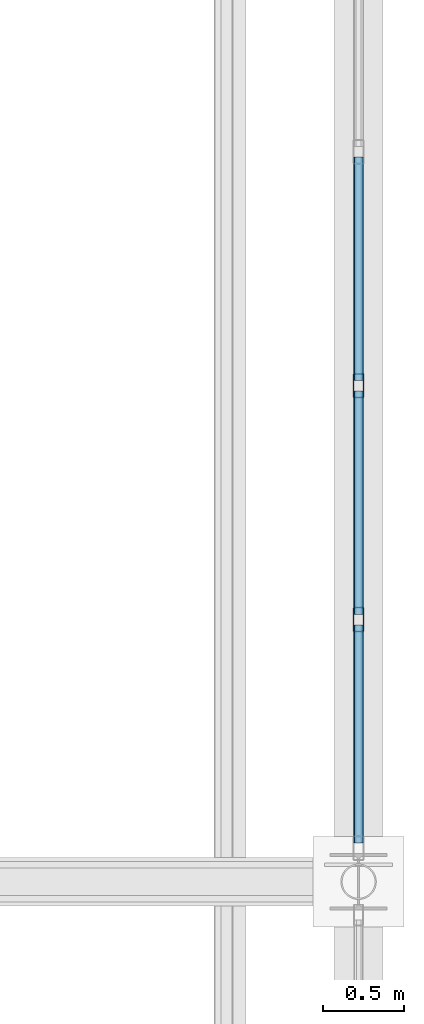
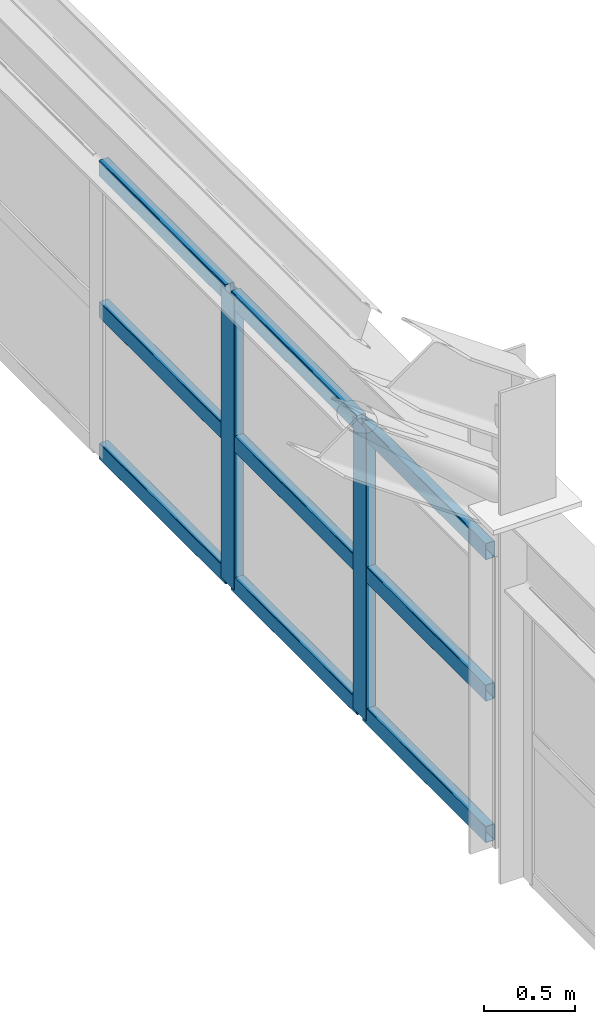
# One storey, part 81 of 121: 11 members, 1 element without a shape of its own.
"""IFC4 building model written with IfcOpenShell, lengths in metres."""

from ifc_helpers import new_model, si_unit, direction, frame, origin, origin_2d, place, context, subcontext, project, spatial, hollow_rectangle, extrude, material, material_profile, profile_set, type_object, element, aggregate, save


model = new_model("IFC4")

# Units and contexts
model_context = context("Model", 3, precision=1e-05, world=origin(), true_north=direction((0.0, 1.0)))
body_context = subcontext(model_context, "Body", "Model", "MODEL_VIEW")
ifc_project = project(units=[si_unit("LENGTHUNIT", "METRE"), si_unit("AREAUNIT", "SQUARE_METRE"), si_unit("VOLUMEUNIT", "CUBIC_METRE"), si_unit("PLANEANGLEUNIT", "RADIAN"), si_unit("MASSUNIT", "GRAM", prefix="KILO")], contexts=[model_context])

# Site, building, storey
site_placement = place(None, origin())
site = spatial("IfcSite", under=ifc_project, at=site_placement, CompositionType="ELEMENT")
building_placement = place(site_placement, origin())
building = spatial("IfcBuilding", under=site, at=building_placement, Name="Canglan Escarpment Cableway Terminal", CompositionType="ELEMENT")
storey_placement = place(building_placement, frame((0.0, 0.0, 24.60009765625)))
storey = spatial("IfcBuildingStorey", under=building, at=storey_placement, Name="L05", CompositionType="ELEMENT", Elevation=24.60009765625)

# Curtain wall, members
ifc_material_1 = material(Name="Anodized bronze aluminium and Low-E double glazing", Category="aluminium")
curtain_wall_type = type_object("IfcCurtainWallType", Name="CW-BAY-8650x1950", PredefinedType="NOTDEFINED", material=ifc_material_1)
curtain_wall_placement = place(storey_placement, origin())
curtain_wall = element("IfcCurtainWall", 1, at=curtain_wall_placement, inside=storey, type_object=curtain_wall_type, Name="Classical bay-between-piers glazed curtain wall CW-66", PredefinedType="NOTDEFINED")
ifc_material_2 = material(Name="Thermally broken anodized aluminium 6063-T6", Category="aluminium")
ifc_material_profile_1 = material_profile(ifc_material_2, hollow_rectangle(XDim=0.06494140625, YDim=0.14990234375, WallThickness=0.00341796875, InnerFilletRadius=0.00341796875, OuterFilletRadius=0.007080078125, at=origin_2d()), Name="ALU-MULL 65x150x3.5")
ifc_profile_set_1 = profile_set([ifc_material_profile_1], Name="Thermally broken anodized aluminium 6063-T6")
member_type_1 = type_object("IfcMemberType", Name="CWM-02", PredefinedType="MULLION", material=ifc_profile_set_1)
member_1_placement = place(storey_placement, frame((166.39990234375, 116.61669921875, 0.0), z_axis=(0.0, 0.0, 1.0), x_axis=(-1.0, 0.0, 0.0)))
member_1 = element("IfcMember", 2, at=member_1_placement, type_object=member_type_1, Name="CW-66 mullion 2", PredefinedType="MULLION", context=body_context, shape_type="SweptSolid", body=[
    extrude(hollow_rectangle(XDim=0.06494140625, YDim=0.14990234375, WallThickness=0.00341796875, InnerFilletRadius=0.00341796875, OuterFilletRadius=0.007080078125, at=origin_2d()), origin(), (0.0, 0.0, 1.0), 1.949951171875),
])
member_2_placement = place(storey_placement, frame((166.39990234375, 118.058349609375, 0.0), z_axis=(0.0, 0.0, 1.0), x_axis=(-1.0, 0.0, 0.0)))
member_2 = element("IfcMember", 3, at=member_2_placement, type_object=member_type_1, Name="CW-66 mullion 3", PredefinedType="MULLION", context=body_context, shape_type="SweptSolid", body=[
    extrude(hollow_rectangle(XDim=0.06494140625, YDim=0.14990234375, WallThickness=0.00341796875, InnerFilletRadius=0.00341796875, OuterFilletRadius=0.007080078125, at=origin_2d()), origin(), (0.0, 0.0, 1.0), 1.949951171875),
])
ifc_material_profile_2 = material_profile(ifc_material_2, hollow_rectangle(XDim=0.06005859375, YDim=0.110107421875, WallThickness=0.0029296875, InnerFilletRadius=0.0029296875, OuterFilletRadius=0.006103515625, at=origin_2d()), Name="ALU-TRAN 60x110x3")
ifc_profile_set_2 = profile_set([ifc_material_profile_2], Name="Thermally broken anodized aluminium 6063-T6")
member_type_2 = type_object("IfcMemberType", Name="CWT-02", PredefinedType="USERDEFINED", material=ifc_profile_set_2)
member_3_placement = place(storey_placement, frame((166.39990234375, 115.239990234375, 0.02978515625), z_axis=(0.0, 1.0, 0.0), x_axis=(-1.0, 0.0, 0.0)))
member_3 = element("IfcMember", 4, at=member_3_placement, type_object=member_type_2, Name="CW-66 transom 1.1", ObjectType="TRANSOM", PredefinedType="USERDEFINED", context=body_context, shape_type="SweptSolid", body=[
    extrude(hollow_rectangle(XDim=0.06005859375, YDim=0.110107421875, WallThickness=0.0029296875, InnerFilletRadius=0.0029296875, OuterFilletRadius=0.006103515625, at=origin_2d()), origin(), (0.0, 0.0, 1.0), 1.34423828125),
])
member_4_placement = place(storey_placement, frame((166.39990234375, 115.239990234375, 0.974853515625), z_axis=(0.0, 1.0, 0.0), x_axis=(-1.0, 0.0, 0.0)))
member_4 = element("IfcMember", 5, at=member_4_placement, type_object=member_type_2, Name="CW-66 transom 1.2", ObjectType="TRANSOM", PredefinedType="USERDEFINED", context=body_context, shape_type="SweptSolid", body=[
    extrude(hollow_rectangle(XDim=0.06005859375, YDim=0.110107421875, WallThickness=0.0029296875, InnerFilletRadius=0.0029296875, OuterFilletRadius=0.006103515625, at=origin_2d()), origin(), (0.0, 0.0, 1.0), 1.34423828125),
])
member_5_placement = place(storey_placement, frame((166.39990234375, 115.239990234375, 1.919921875), z_axis=(0.0, 1.0, 0.0), x_axis=(-1.0, 0.0, 0.0)))
member_5 = element("IfcMember", 6, at=member_5_placement, type_object=member_type_2, Name="CW-66 transom 1.3", ObjectType="TRANSOM", PredefinedType="USERDEFINED", context=body_context, shape_type="SweptSolid", body=[
    extrude(hollow_rectangle(XDim=0.06005859375, YDim=0.110107421875, WallThickness=0.0029296875, InnerFilletRadius=0.0029296875, OuterFilletRadius=0.006103515625, at=origin_2d()), origin(), (0.0, 0.0, 1.0), 1.34423828125),
])
member_6_placement = place(storey_placement, frame((166.39990234375, 116.649169921875, 0.02978515625), z_axis=(0.0, 1.0, 0.0), x_axis=(-1.0, 0.0, 0.0)))
member_6 = element("IfcMember", 7, at=member_6_placement, type_object=member_type_2, Name="CW-66 transom 2.1", ObjectType="TRANSOM", PredefinedType="USERDEFINED", context=body_context, shape_type="SweptSolid", body=[
    extrude(hollow_rectangle(XDim=0.06005859375, YDim=0.110107421875, WallThickness=0.0029296875, InnerFilletRadius=0.0029296875, OuterFilletRadius=0.006103515625, at=origin_2d()), origin(), (0.0, 0.0, 1.0), 1.376708984375),
])
member_7_placement = place(storey_placement, frame((166.39990234375, 116.649169921875, 0.974853515625), z_axis=(0.0, 1.0, 0.0), x_axis=(-1.0, 0.0, 0.0)))
member_7 = element("IfcMember", 8, at=member_7_placement, type_object=member_type_2, Name="CW-66 transom 2.2", ObjectType="TRANSOM", PredefinedType="USERDEFINED", context=body_context, shape_type="SweptSolid", body=[
    extrude(hollow_rectangle(XDim=0.06005859375, YDim=0.110107421875, WallThickness=0.0029296875, InnerFilletRadius=0.0029296875, OuterFilletRadius=0.006103515625, at=origin_2d()), origin(), (0.0, 0.0, 1.0), 1.376708984375),
])
member_8_placement = place(storey_placement, frame((166.39990234375, 116.649169921875, 1.919921875), z_axis=(0.0, 1.0, 0.0), x_axis=(-1.0, 0.0, 0.0)))
member_8 = element("IfcMember", 9, at=member_8_placement, type_object=member_type_2, Name="CW-66 transom 2.3", ObjectType="TRANSOM", PredefinedType="USERDEFINED", context=body_context, shape_type="SweptSolid", body=[
    extrude(hollow_rectangle(XDim=0.06005859375, YDim=0.110107421875, WallThickness=0.0029296875, InnerFilletRadius=0.0029296875, OuterFilletRadius=0.006103515625, at=origin_2d()), origin(), (0.0, 0.0, 1.0), 1.376708984375),
])
member_9_placement = place(storey_placement, frame((166.39990234375, 118.0908203125, 0.02978515625), z_axis=(0.0, 1.0, 0.0), x_axis=(-1.0, 0.0, 0.0)))
member_9 = element("IfcMember", 10, at=member_9_placement, type_object=member_type_2, Name="CW-66 transom 3.1", ObjectType="TRANSOM", PredefinedType="USERDEFINED", context=body_context, shape_type="SweptSolid", body=[
    extrude(hollow_rectangle(XDim=0.06005859375, YDim=0.110107421875, WallThickness=0.0029296875, InnerFilletRadius=0.0029296875, OuterFilletRadius=0.006103515625, at=origin_2d()), origin(), (0.0, 0.0, 1.0), 1.376708984375),
])
member_10_placement = place(storey_placement, frame((166.39990234375, 118.0908203125, 0.974853515625), z_axis=(0.0, 1.0, 0.0), x_axis=(-1.0, 0.0, 0.0)))
member_10 = element("IfcMember", 11, at=member_10_placement, type_object=member_type_2, Name="CW-66 transom 3.2", ObjectType="TRANSOM", PredefinedType="USERDEFINED", context=body_context, shape_type="SweptSolid", body=[
    extrude(hollow_rectangle(XDim=0.06005859375, YDim=0.110107421875, WallThickness=0.0029296875, InnerFilletRadius=0.0029296875, OuterFilletRadius=0.006103515625, at=origin_2d()), origin(), (0.0, 0.0, 1.0), 1.376708984375),
])
member_11_placement = place(storey_placement, frame((166.39990234375, 118.0908203125, 1.919921875), z_axis=(0.0, 1.0, 0.0), x_axis=(-1.0, 0.0, 0.0)))
member_11 = element("IfcMember", 12, at=member_11_placement, type_object=member_type_2, Name="CW-66 transom 3.3", ObjectType="TRANSOM", PredefinedType="USERDEFINED", context=body_context, shape_type="SweptSolid", body=[
    extrude(hollow_rectangle(XDim=0.06005859375, YDim=0.110107421875, WallThickness=0.0029296875, InnerFilletRadius=0.0029296875, OuterFilletRadius=0.006103515625, at=origin_2d()), origin(), (0.0, 0.0, 1.0), 1.376708984375),
])
aggregate(curtain_wall, [member_1, member_2, member_3, member_4, member_5, member_6, member_7, member_8, member_9, member_10, member_11])

save(model, "model.ifc")
